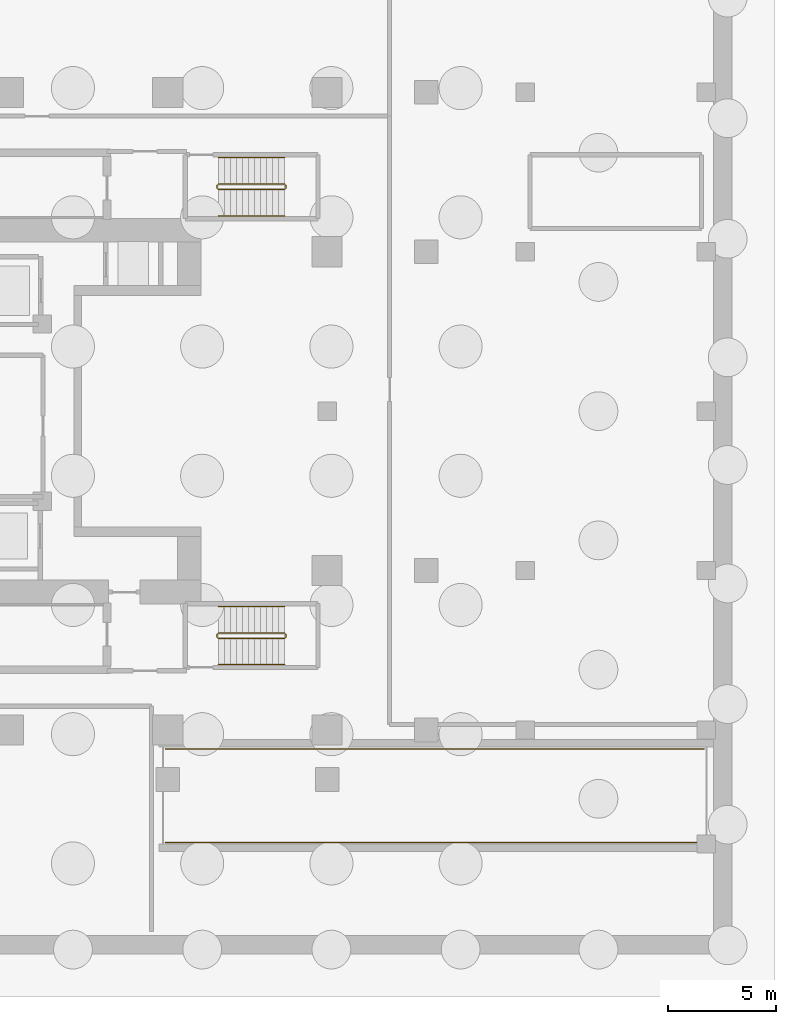
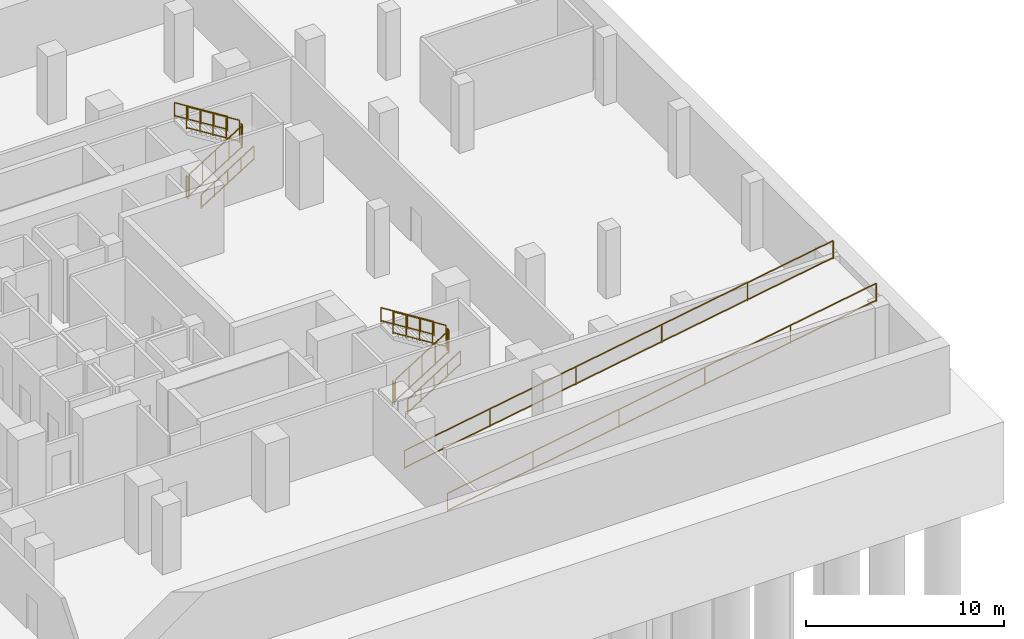
# One storey, part 5 of 6: 14 railings.
"""IFC4 building model written with IfcOpenShell, lengths in metres."""

from ifc_helpers import new_model, si_unit, direction, frame, origin, origin_2d, place, context, subcontext, project, spatial, rectangle, extrude, material, type_object, element, save


model = new_model("IFC4")

# Units and contexts
model_context = context("Model", 3, precision=1e-05, world=origin(), true_north=direction((0.0, 1.0)))
body_context = subcontext(model_context, "Body", "Model", "MODEL_VIEW")
ifc_project = project(units=[si_unit("LENGTHUNIT", "METRE"), si_unit("AREAUNIT", "SQUARE_METRE"), si_unit("VOLUMEUNIT", "CUBIC_METRE"), si_unit("PLANEANGLEUNIT", "RADIAN"), si_unit("MASSUNIT", "GRAM", prefix="KILO")], contexts=[model_context])

# Site, building, storey
site_placement = place(None, origin())
site = spatial("IfcSite", under=ifc_project, at=site_placement, CompositionType="ELEMENT")
building_placement = place(site_placement, origin())
building = spatial("IfcBuilding", under=site, at=building_placement, Name="Khorvyn Point Tower", CompositionType="ELEMENT")
storey_placement = place(building_placement, frame((0.0, 0.0, -12.60009765625)))
storey = spatial("IfcBuildingStorey", under=building, at=storey_placement, Name="B3", CompositionType="ELEMENT", Elevation=-12.60009765625)

# Railings
ifc_material = material(Name="Stainless steel 1.4301", Category="steel")
railing_type_1 = type_object("IfcRailingType", Name="Stainless Steel 304 Stair Pitch Handrail 900", PredefinedType="HANDRAIL", material=ifc_material)
railing_1_placement = place(storey_placement, frame((9.75, -11.77001953125, 0.175048828125)))
element("IfcRailing", 1, at=railing_1_placement, inside=storey, type_object=railing_type_1, Name="B3 ST-B1 stair handrail 1", PredefinedType="HANDRAIL", context=body_context, shape_type="SweptSolid", body=[
    extrude(rectangle(XDim=0.048095703125, YDim=0.048095703125, at=origin_2d()), frame((0.0, 0.0, 0.8759765625), z_axis=(0.847998304005, 0.0, 0.529998940003), x_axis=(0.0, 1.0, 0.0)), (0.0, 0.0, 1.0), 3.632080078125),
    extrude(rectangle(XDim=0.048095703125, YDim=0.048095703125, at=origin_2d()), frame((0.0, 0.0, 0.080078125), z_axis=(0.847998304005, 0.0, 0.529998940003), x_axis=(0.0, 1.0, 0.0)), (0.0, 0.0, 1.0), 3.632080078125),
    extrude(rectangle(XDim=0.0419921875, YDim=0.0419921875, at=origin_2d()), origin(), (0.0, 0.0, 1.0), 0.851806640625),
    extrude(rectangle(XDim=0.0419921875, YDim=0.0419921875, at=origin_2d()), frame((0.77001953125, 0.0, 0.481201171875)), (0.0, 0.0, 1.0), 0.851806640625),
    extrude(rectangle(XDim=0.0419921875, YDim=0.0419921875, at=origin_2d()), frame((1.5400390625, 0.0, 0.96240234375)), (0.0, 0.0, 1.0), 0.851806640625),
    extrude(rectangle(XDim=0.0419921875, YDim=0.0419921875, at=origin_2d()), frame((2.31005859375, 0.0, 1.44384765625)), (0.0, 0.0, 1.0), 0.851806640625),
    extrude(rectangle(XDim=0.0419921875, YDim=0.0419921875, at=origin_2d()), frame((3.080078125, 0.0, 1.925048828125)), (0.0, 0.0, 1.0), 0.851806640625),
])
railing_2_placement = place(storey_placement, frame((12.830078125, -9.070068359375, 2.275146484375)))
element("IfcRailing", 2, at=railing_2_placement, inside=storey, type_object=railing_type_1, Name="B3 ST-B1 stair handrail 2", PredefinedType="HANDRAIL", context=body_context, shape_type="SweptSolid", body=[
    extrude(rectangle(XDim=0.048095703125, YDim=0.048095703125, at=origin_2d()), frame((0.0, 0.0, 0.8759765625), z_axis=(-0.847998304005, 0.0, 0.529998940003), x_axis=(0.0, -1.0, 0.0)), (0.0, 0.0, 1.0), 3.632080078125),
    extrude(rectangle(XDim=0.048095703125, YDim=0.048095703125, at=origin_2d()), frame((0.0, 0.0, 0.080078125), z_axis=(-0.847998304005, 0.0, 0.529998940003), x_axis=(0.0, -1.0, 0.0)), (0.0, 0.0, 1.0), 3.632080078125),
    extrude(rectangle(XDim=0.0419921875, YDim=0.0419921875, at=origin_2d()), origin(), (0.0, 0.0, 1.0), 0.851806640625),
    extrude(rectangle(XDim=0.0419921875, YDim=0.0419921875, at=origin_2d()), frame((-0.77001953125, 0.0, 0.481201171875)), (0.0, 0.0, 1.0), 0.851806640625),
    extrude(rectangle(XDim=0.0419921875, YDim=0.0419921875, at=origin_2d()), frame((-1.5400390625, 0.0, 0.96240234375)), (0.0, 0.0, 1.0), 0.851806640625),
    extrude(rectangle(XDim=0.0419921875, YDim=0.0419921875, at=origin_2d()), frame((-2.31005859375, 0.0, 1.44384765625)), (0.0, 0.0, 1.0), 0.851806640625),
    extrude(rectangle(XDim=0.0419921875, YDim=0.0419921875, at=origin_2d()), frame((-3.080078125, 0.0, 1.925048828125)), (0.0, 0.0, 1.0), 0.851806640625),
])
railing_3_placement = place(storey_placement, frame((9.75, 9.070068359375, 0.175048828125)))
element("IfcRailing", 3, at=railing_3_placement, inside=storey, type_object=railing_type_1, Name="B3 ST-B2 stair handrail 1", PredefinedType="HANDRAIL", context=body_context, shape_type="SweptSolid", body=[
    extrude(rectangle(XDim=0.048095703125, YDim=0.048095703125, at=origin_2d()), frame((0.0, 0.0, 0.8759765625), z_axis=(0.847998304005, 0.0, 0.529998940003), x_axis=(0.0, 1.0, 0.0)), (0.0, 0.0, 1.0), 3.632080078125),
    extrude(rectangle(XDim=0.048095703125, YDim=0.048095703125, at=origin_2d()), frame((0.0, 0.0, 0.080078125), z_axis=(0.847998304005, 0.0, 0.529998940003), x_axis=(0.0, 1.0, 0.0)), (0.0, 0.0, 1.0), 3.632080078125),
    extrude(rectangle(XDim=0.0419921875, YDim=0.0419921875, at=origin_2d()), origin(), (0.0, 0.0, 1.0), 0.851806640625),
    extrude(rectangle(XDim=0.0419921875, YDim=0.0419921875, at=origin_2d()), frame((0.77001953125, 0.0, 0.481201171875)), (0.0, 0.0, 1.0), 0.851806640625),
    extrude(rectangle(XDim=0.0419921875, YDim=0.0419921875, at=origin_2d()), frame((1.5400390625, 0.0, 0.96240234375)), (0.0, 0.0, 1.0), 0.851806640625),
    extrude(rectangle(XDim=0.0419921875, YDim=0.0419921875, at=origin_2d()), frame((2.31005859375, 0.0, 1.44384765625)), (0.0, 0.0, 1.0), 0.851806640625),
    extrude(rectangle(XDim=0.0419921875, YDim=0.0419921875, at=origin_2d()), frame((3.080078125, 0.0, 1.925048828125)), (0.0, 0.0, 1.0), 0.851806640625),
])
railing_4_placement = place(storey_placement, frame((12.830078125, 11.77001953125, 2.275146484375)))
element("IfcRailing", 4, at=railing_4_placement, inside=storey, type_object=railing_type_1, Name="B3 ST-B2 stair handrail 2", PredefinedType="HANDRAIL", context=body_context, shape_type="SweptSolid", body=[
    extrude(rectangle(XDim=0.048095703125, YDim=0.048095703125, at=origin_2d()), frame((0.0, 0.0, 0.8759765625), z_axis=(-0.847998304005, 0.0, 0.529998940003), x_axis=(0.0, -1.0, 0.0)), (0.0, 0.0, 1.0), 3.632080078125),
    extrude(rectangle(XDim=0.048095703125, YDim=0.048095703125, at=origin_2d()), frame((0.0, 0.0, 0.080078125), z_axis=(-0.847998304005, 0.0, 0.529998940003), x_axis=(0.0, -1.0, 0.0)), (0.0, 0.0, 1.0), 3.632080078125),
    extrude(rectangle(XDim=0.0419921875, YDim=0.0419921875, at=origin_2d()), origin(), (0.0, 0.0, 1.0), 0.851806640625),
    extrude(rectangle(XDim=0.0419921875, YDim=0.0419921875, at=origin_2d()), frame((-0.77001953125, 0.0, 0.481201171875)), (0.0, 0.0, 1.0), 0.851806640625),
    extrude(rectangle(XDim=0.0419921875, YDim=0.0419921875, at=origin_2d()), frame((-1.5400390625, 0.0, 0.96240234375)), (0.0, 0.0, 1.0), 0.851806640625),
    extrude(rectangle(XDim=0.0419921875, YDim=0.0419921875, at=origin_2d()), frame((-2.31005859375, 0.0, 1.44384765625)), (0.0, 0.0, 1.0), 0.851806640625),
    extrude(rectangle(XDim=0.0419921875, YDim=0.0419921875, at=origin_2d()), frame((-3.080078125, 0.0, 1.925048828125)), (0.0, 0.0, 1.0), 0.851806640625),
])
railing_type_2 = type_object("IfcRailingType", Name="Stainless Steel 304 Stair Well Guardrail 1400", PredefinedType="GUARDRAIL", material=ifc_material)
railing_5_placement = place(storey_placement, frame((9.75, -10.550048828125, 0.175048828125)))
element("IfcRailing", 5, at=railing_5_placement, inside=storey, type_object=railing_type_2, Name="B3 ST-B1 stair guard 1", PredefinedType="GUARDRAIL", context=body_context, shape_type="SweptSolid", body=[
    extrude(rectangle(XDim=0.048095703125, YDim=0.048095703125, at=origin_2d()), frame((0.0, 0.0, 1.3759765625), z_axis=(0.847998304005, 0.0, 0.529998940003), x_axis=(0.0, 1.0, 0.0)), (0.0, 0.0, 1.0), 3.632080078125),
    extrude(rectangle(XDim=0.048095703125, YDim=0.048095703125, at=origin_2d()), frame((0.0, 0.0, 0.080078125), z_axis=(0.847998304005, 0.0, 0.529998940003), x_axis=(0.0, 1.0, 0.0)), (0.0, 0.0, 1.0), 3.632080078125),
    extrude(rectangle(XDim=0.0419921875, YDim=0.0419921875, at=origin_2d()), origin(), (0.0, 0.0, 1.0), 1.351806640625),
    extrude(rectangle(XDim=0.0419921875, YDim=0.0419921875, at=origin_2d()), frame((0.77001953125, 0.0, 0.481201171875)), (0.0, 0.0, 1.0), 1.351806640625),
    extrude(rectangle(XDim=0.0419921875, YDim=0.0419921875, at=origin_2d()), frame((1.5400390625, 0.0, 0.96240234375)), (0.0, 0.0, 1.0), 1.351806640625),
    extrude(rectangle(XDim=0.0419921875, YDim=0.0419921875, at=origin_2d()), frame((2.31005859375, 0.0, 1.44384765625)), (0.0, 0.0, 1.0), 1.351806640625),
    extrude(rectangle(XDim=0.0419921875, YDim=0.0419921875, at=origin_2d()), frame((3.080078125, 0.0, 1.925048828125)), (0.0, 0.0, 1.0), 1.351806640625),
])
railing_6_placement = place(storey_placement, frame((12.8798828125, -10.5, 2.10009765625)))
element("IfcRailing", 6, at=railing_6_placement, inside=storey, type_object=railing_type_2, Name="B3 ST-B1 stair guard 2", PredefinedType="GUARDRAIL", context=body_context, shape_type="SweptSolid", body=[
    extrude(rectangle(XDim=0.048095703125, YDim=0.048095703125, at=origin_2d()), frame((0.0, 0.0, 1.3759765625), z_axis=(0.0, 1.0, 0.0), x_axis=(-1.0, 0.0, 0.0)), (0.0, 0.0, 1.0), 0.159912109375),
    extrude(rectangle(XDim=0.048095703125, YDim=0.048095703125, at=origin_2d()), frame((0.0, 0.0, 0.080078125), z_axis=(0.0, 1.0, 0.0), x_axis=(-1.0, 0.0, 0.0)), (0.0, 0.0, 1.0), 0.159912109375),
    extrude(rectangle(XDim=0.0419921875, YDim=0.0419921875, at=origin_2d()), origin(), (0.0, 0.0, 1.0), 1.351806640625),
    extrude(rectangle(XDim=0.0419921875, YDim=0.0419921875, at=origin_2d()), frame((0.0, 0.159912109375, 0.0)), (0.0, 0.0, 1.0), 1.351806640625),
])
railing_7_placement = place(storey_placement, frame((12.830078125, -10.2900390625, 2.275146484375)))
element("IfcRailing", 7, at=railing_7_placement, inside=storey, type_object=railing_type_2, Name="B3 ST-B1 stair guard 3", PredefinedType="GUARDRAIL", context=body_context, shape_type="SweptSolid", body=[
    extrude(rectangle(XDim=0.048095703125, YDim=0.048095703125, at=origin_2d()), frame((0.0, 0.0, 1.3759765625), z_axis=(-0.847998304005, 0.0, 0.529998940003), x_axis=(0.0, -1.0, 0.0)), (0.0, 0.0, 1.0), 3.632080078125),
    extrude(rectangle(XDim=0.048095703125, YDim=0.048095703125, at=origin_2d()), frame((0.0, 0.0, 0.080078125), z_axis=(-0.847998304005, 0.0, 0.529998940003), x_axis=(0.0, -1.0, 0.0)), (0.0, 0.0, 1.0), 3.632080078125),
    extrude(rectangle(XDim=0.0419921875, YDim=0.0419921875, at=origin_2d()), origin(), (0.0, 0.0, 1.0), 1.351806640625),
    extrude(rectangle(XDim=0.0419921875, YDim=0.0419921875, at=origin_2d()), frame((-0.77001953125, 0.0, 0.481201171875)), (0.0, 0.0, 1.0), 1.351806640625),
    extrude(rectangle(XDim=0.0419921875, YDim=0.0419921875, at=origin_2d()), frame((-1.5400390625, 0.0, 0.96240234375)), (0.0, 0.0, 1.0), 1.351806640625),
    extrude(rectangle(XDim=0.0419921875, YDim=0.0419921875, at=origin_2d()), frame((-2.31005859375, 0.0, 1.44384765625)), (0.0, 0.0, 1.0), 1.351806640625),
    extrude(rectangle(XDim=0.0419921875, YDim=0.0419921875, at=origin_2d()), frame((-3.080078125, 0.0, 1.925048828125)), (0.0, 0.0, 1.0), 1.351806640625),
])
railing_8_placement = place(storey_placement, frame((9.699951171875, -10.5, 0.0)))
element("IfcRailing", 8, at=railing_8_placement, inside=storey, type_object=railing_type_2, Name="B3 ST-B1 stair guard 4", PredefinedType="GUARDRAIL", context=body_context, shape_type="SweptSolid", body=[
    extrude(rectangle(XDim=0.048095703125, YDim=0.048095703125, at=origin_2d()), frame((0.0, 0.0, 1.3759765625), z_axis=(0.0, 1.0, 0.0), x_axis=(-1.0, 0.0, 0.0)), (0.0, 0.0, 1.0), 0.159912109375),
    extrude(rectangle(XDim=0.048095703125, YDim=0.048095703125, at=origin_2d()), frame((0.0, 0.0, 0.080078125), z_axis=(0.0, 1.0, 0.0), x_axis=(-1.0, 0.0, 0.0)), (0.0, 0.0, 1.0), 0.159912109375),
    extrude(rectangle(XDim=0.0419921875, YDim=0.0419921875, at=origin_2d()), origin(), (0.0, 0.0, 1.0), 1.351806640625),
    extrude(rectangle(XDim=0.0419921875, YDim=0.0419921875, at=origin_2d()), frame((0.0, 0.159912109375, 0.0)), (0.0, 0.0, 1.0), 1.351806640625),
])
railing_9_placement = place(storey_placement, frame((9.75, 10.2900390625, 0.175048828125)))
element("IfcRailing", 9, at=railing_9_placement, inside=storey, type_object=railing_type_2, Name="B3 ST-B2 stair guard 1", PredefinedType="GUARDRAIL", context=body_context, shape_type="SweptSolid", body=[
    extrude(rectangle(XDim=0.048095703125, YDim=0.048095703125, at=origin_2d()), frame((0.0, 0.0, 1.3759765625), z_axis=(0.847998304005, 0.0, 0.529998940003), x_axis=(0.0, 1.0, 0.0)), (0.0, 0.0, 1.0), 3.632080078125),
    extrude(rectangle(XDim=0.048095703125, YDim=0.048095703125, at=origin_2d()), frame((0.0, 0.0, 0.080078125), z_axis=(0.847998304005, 0.0, 0.529998940003), x_axis=(0.0, 1.0, 0.0)), (0.0, 0.0, 1.0), 3.632080078125),
    extrude(rectangle(XDim=0.0419921875, YDim=0.0419921875, at=origin_2d()), origin(), (0.0, 0.0, 1.0), 1.351806640625),
    extrude(rectangle(XDim=0.0419921875, YDim=0.0419921875, at=origin_2d()), frame((0.77001953125, 0.0, 0.481201171875)), (0.0, 0.0, 1.0), 1.351806640625),
    extrude(rectangle(XDim=0.0419921875, YDim=0.0419921875, at=origin_2d()), frame((1.5400390625, 0.0, 0.96240234375)), (0.0, 0.0, 1.0), 1.351806640625),
    extrude(rectangle(XDim=0.0419921875, YDim=0.0419921875, at=origin_2d()), frame((2.31005859375, 0.0, 1.44384765625)), (0.0, 0.0, 1.0), 1.351806640625),
    extrude(rectangle(XDim=0.0419921875, YDim=0.0419921875, at=origin_2d()), frame((3.080078125, 0.0, 1.925048828125)), (0.0, 0.0, 1.0), 1.351806640625),
])
railing_10_placement = place(storey_placement, frame((12.8798828125, 10.340087890625, 2.10009765625)))
element("IfcRailing", 10, at=railing_10_placement, inside=storey, type_object=railing_type_2, Name="B3 ST-B2 stair guard 2", PredefinedType="GUARDRAIL", context=body_context, shape_type="SweptSolid", body=[
    extrude(rectangle(XDim=0.048095703125, YDim=0.048095703125, at=origin_2d()), frame((0.0, 0.0, 1.3759765625), z_axis=(0.0, 1.0, 0.0), x_axis=(-1.0, 0.0, 0.0)), (0.0, 0.0, 1.0), 0.159912109375),
    extrude(rectangle(XDim=0.048095703125, YDim=0.048095703125, at=origin_2d()), frame((0.0, 0.0, 0.080078125), z_axis=(0.0, 1.0, 0.0), x_axis=(-1.0, 0.0, 0.0)), (0.0, 0.0, 1.0), 0.159912109375),
    extrude(rectangle(XDim=0.0419921875, YDim=0.0419921875, at=origin_2d()), origin(), (0.0, 0.0, 1.0), 1.351806640625),
    extrude(rectangle(XDim=0.0419921875, YDim=0.0419921875, at=origin_2d()), frame((0.0, 0.159912109375, 0.0)), (0.0, 0.0, 1.0), 1.351806640625),
])
railing_11_placement = place(storey_placement, frame((12.830078125, 10.550048828125, 2.275146484375)))
element("IfcRailing", 11, at=railing_11_placement, inside=storey, type_object=railing_type_2, Name="B3 ST-B2 stair guard 3", PredefinedType="GUARDRAIL", context=body_context, shape_type="SweptSolid", body=[
    extrude(rectangle(XDim=0.048095703125, YDim=0.048095703125, at=origin_2d()), frame((0.0, 0.0, 1.3759765625), z_axis=(-0.847998304005, 0.0, 0.529998940003), x_axis=(0.0, -1.0, 0.0)), (0.0, 0.0, 1.0), 3.632080078125),
    extrude(rectangle(XDim=0.048095703125, YDim=0.048095703125, at=origin_2d()), frame((0.0, 0.0, 0.080078125), z_axis=(-0.847998304005, 0.0, 0.529998940003), x_axis=(0.0, -1.0, 0.0)), (0.0, 0.0, 1.0), 3.632080078125),
    extrude(rectangle(XDim=0.0419921875, YDim=0.0419921875, at=origin_2d()), origin(), (0.0, 0.0, 1.0), 1.351806640625),
    extrude(rectangle(XDim=0.0419921875, YDim=0.0419921875, at=origin_2d()), frame((-0.77001953125, 0.0, 0.481201171875)), (0.0, 0.0, 1.0), 1.351806640625),
    extrude(rectangle(XDim=0.0419921875, YDim=0.0419921875, at=origin_2d()), frame((-1.5400390625, 0.0, 0.96240234375)), (0.0, 0.0, 1.0), 1.351806640625),
    extrude(rectangle(XDim=0.0419921875, YDim=0.0419921875, at=origin_2d()), frame((-2.31005859375, 0.0, 1.44384765625)), (0.0, 0.0, 1.0), 1.351806640625),
    extrude(rectangle(XDim=0.0419921875, YDim=0.0419921875, at=origin_2d()), frame((-3.080078125, 0.0, 1.925048828125)), (0.0, 0.0, 1.0), 1.351806640625),
])
railing_12_placement = place(storey_placement, frame((9.699951171875, 10.340087890625, 0.0)))
element("IfcRailing", 12, at=railing_12_placement, inside=storey, type_object=railing_type_2, Name="B3 ST-B2 stair guard 4", PredefinedType="GUARDRAIL", context=body_context, shape_type="SweptSolid", body=[
    extrude(rectangle(XDim=0.048095703125, YDim=0.048095703125, at=origin_2d()), frame((0.0, 0.0, 1.3759765625), z_axis=(0.0, 1.0, 0.0), x_axis=(-1.0, 0.0, 0.0)), (0.0, 0.0, 1.0), 0.159912109375),
    extrude(rectangle(XDim=0.048095703125, YDim=0.048095703125, at=origin_2d()), frame((0.0, 0.0, 0.080078125), z_axis=(0.0, 1.0, 0.0), x_axis=(-1.0, 0.0, 0.0)), (0.0, 0.0, 1.0), 0.159912109375),
    extrude(rectangle(XDim=0.0419921875, YDim=0.0419921875, at=origin_2d()), origin(), (0.0, 0.0, 1.0), 1.351806640625),
    extrude(rectangle(XDim=0.0419921875, YDim=0.0419921875, at=origin_2d()), frame((0.0, 0.159912109375, 0.0)), (0.0, 0.0, 1.0), 1.351806640625),
])
for number, where, name in (
    (13, (7.300048828125, -20.02001953125, 0.0), "B3 VR-01 Ramp Guard S"),
    (14, (7.300048828125, -15.679931640625, 0.0), "B3 VR-01 Ramp Guard N"),
):
    element("IfcRailing", number, at=place(storey_placement, frame(where)), inside=storey, type_object=railing_type_2, Name=name, PredefinedType="GUARDRAIL", context=body_context, shape_type="SweptSolid", body=[
        extrude(rectangle(XDim=0.048095703125, YDim=0.048095703125, at=origin_2d()), frame((0.0, 0.0, 1.1259765625), z_axis=(0.986178607213, 0.0, 0.165685710532), x_axis=(0.0, 1.0, 0.0)), (0.0, 0.0, 1.0), 25.350341796875),
        extrude(rectangle(XDim=0.048095703125, YDim=0.048095703125, at=origin_2d()), frame((0.0, 0.0, 0.080078125), z_axis=(0.986178607213, 0.0, 0.165685710532), x_axis=(0.0, 1.0, 0.0)), (0.0, 0.0, 1.0), 25.350341796875),
        extrude(rectangle(XDim=0.0419921875, YDim=0.0419921875, at=origin_2d()), origin(), (0.0, 0.0, 1.0), 1.101806640625),
        extrude(rectangle(XDim=0.0419921875, YDim=0.0419921875, at=origin_2d()), frame((5.0, 0.0, 0.840087890625)), (0.0, 0.0, 1.0), 1.101806640625),
        extrude(rectangle(XDim=0.0419921875, YDim=0.0419921875, at=origin_2d()), frame((10.0, 0.0, 1.68017578125)), (0.0, 0.0, 1.0), 1.101806640625),
        extrude(rectangle(XDim=0.0419921875, YDim=0.0419921875, at=origin_2d()), frame((15.0, 0.0, 2.52001953125)), (0.0, 0.0, 1.0), 1.101806640625),
        extrude(rectangle(XDim=0.0419921875, YDim=0.0419921875, at=origin_2d()), frame((20.0, 0.0, 3.360107421875)), (0.0, 0.0, 1.0), 1.101806640625),
        extrude(rectangle(XDim=0.0419921875, YDim=0.0419921875, at=origin_2d()), frame((25.0, 0.0, 4.2001953125)), (0.0, 0.0, 1.0), 1.101806640625),
    ])

save(model, "model.ifc")
